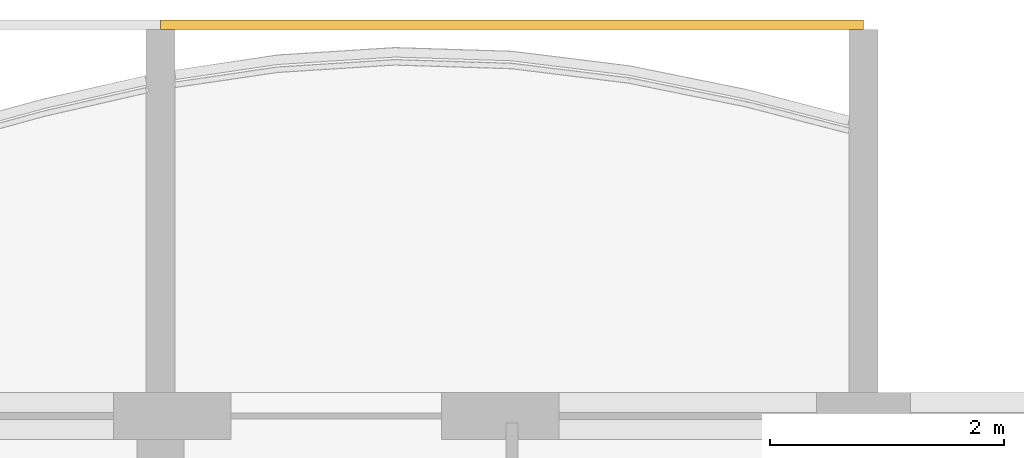
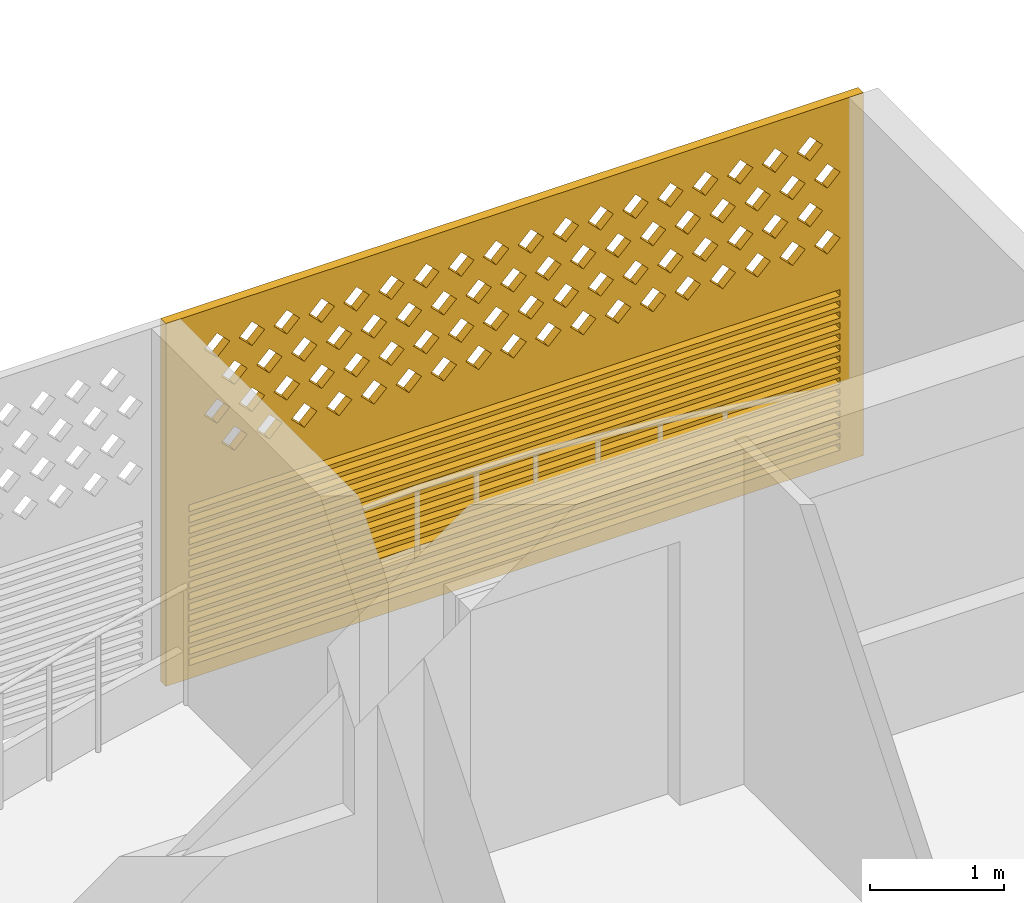
# One storey, part 39 of 39: 1 covering.
"""IFC4 building model written with IfcOpenShell, lengths in metres."""

import ifcopenshell
import ifcopenshell.guid

model = None  # the IFC model being written
_history = None  # IfcOwnerHistory: only IFC2X3 demands one
_inside = {}  # id of a spatial element -> (the spatial element, [elements in it])
_under = {}  # id of a project, library or spatial element -> (it, [spatial elements below it])
_declared = {}  # id of a project -> (the project, [libraries it declares])
_typed = {}  # id of a type object -> (the type object, [elements of that type])
_made_of = {}  # id of a material, layer set ... -> (it, [elements and type objects made of it])


def new_model(schema):
    """Start an empty IFC model of exactly this schema.

    Asked for "IFC4X3", IfcOpenShell would pick the latest addendum, in which some entities
    have other attributes; the version numbers below select the first issue.
    IFC2X3 requires an IfcOwnerHistory on every rooted entity: one is made here for all.
    """
    global model, _history
    if schema == "IFC4X3":
        model = ifcopenshell.file(schema_version=(4, 3, 0, 0))
    else:
        model = ifcopenshell.file(schema=schema)
    _inside.clear()
    _under.clear()
    _declared.clear()
    _typed.clear()
    _made_of.clear()
    _history = None
    if model.schema == "IFC2X3":
        org = make("IfcOrganization", Name="unknown")
        user = make(
            "IfcPersonAndOrganization",
            ThePerson=make("IfcPerson", FamilyName="unknown"),
            TheOrganization=org,
        )
        app = make(
            "IfcApplication",
            ApplicationDeveloper=org,
            Version="unknown",
            ApplicationFullName="unknown",
            ApplicationIdentifier="unknown",
        )
        _history = make(
            "IfcOwnerHistory",
            OwningUser=user,
            OwningApplication=app,
            ChangeAction="ADDED",
            CreationDate=0,
        )
    return model


def make(cls, **values):
    """One entity of the class cls with the attributes given. An attribute that is None is left unset."""
    return model.create_entity(
        cls, **{name: value for name, value in values.items() if value is not None}
    )


def rooted(cls, **values):
    """An entity with a GlobalId (a new one), such as an element, a storey or a relation."""
    return make(cls, GlobalId=ifcopenshell.guid.new(), OwnerHistory=_history, **values)


def si_unit(unit_type, name, prefix=None):
    """IfcSIUnit, for example si_unit("LENGTHUNIT", "METRE", prefix="MILLI")."""
    return make("IfcSIUnit", UnitType=unit_type, Prefix=prefix, Name=name)


def assignment(units):
    """IfcUnitAssignment: the units of a project."""
    return None if units is None else make("IfcUnitAssignment", Units=units)


def point(xyz):
    """IfcCartesianPoint."""
    return None if xyz is None else make("IfcCartesianPoint", Coordinates=xyz)


def direction(xyz):
    """IfcDirection."""
    return None if xyz is None else make("IfcDirection", DirectionRatios=xyz)


def frame(location, z_axis=None, x_axis=None):
    """IfcAxis2Placement3D, a coordinate frame: its origin and axes. An axis left out is left unset."""
    return make(
        "IfcAxis2Placement3D",
        Location=point(location),
        Axis=direction(z_axis),
        RefDirection=direction(x_axis),
    )


def origin():
    """The frame at (0, 0, 0) with its axes left unset."""
    return frame((0.0, 0.0, 0.0))


def place(relative_to, where):
    """IfcLocalPlacement: puts the frame where relative to a parent placement (None: the world)."""
    return make(
        "IfcLocalPlacement", PlacementRelTo=relative_to, RelativePlacement=where
    )


def context(
    kind, dimensions, precision=None, world=None, true_north=None, identifier=None
):
    """IfcGeometricRepresentationContext, for example the 3D "Model" context."""
    return make(
        "IfcGeometricRepresentationContext",
        ContextIdentifier=identifier,
        ContextType=kind,
        CoordinateSpaceDimension=dimensions,
        Precision=precision,
        WorldCoordinateSystem=world,
        TrueNorth=true_north,
    )


def subcontext(parent, identifier, kind, view, scale=None):
    """IfcGeometricRepresentationSubContext, for example "Body" below "Model"."""
    return make(
        "IfcGeometricRepresentationSubContext",
        ContextIdentifier=identifier,
        ContextType=kind,
        ParentContext=parent,
        TargetScale=scale,
        TargetView=view,
    )


def project(units=None, contexts=None):
    """IfcProject with its units and contexts."""
    return rooted(
        "IfcProject",
        Name="project",
        RepresentationContexts=contexts,
        UnitsInContext=assignment(units),
    )


def spatial(cls, under=None, at=None, **own):
    """A site, building, storey or space (cls), placed at a placement, below another one or the project."""
    s = rooted(cls, ObjectPlacement=at, **own)
    if under is not None:
        _under.setdefault(under.id(), (under, []))[1].append(s)
    return s


def polyline(points):
    """IfcPolyline through the points."""
    return make("IfcPolyline", Points=[point(p) for p in points])


def outline(outer, holes=None, kind="AREA"):
    """IfcArbitraryClosedProfileDef: a profile drawn as a closed curve; with holes, ...WithVoids."""
    if holes is None:
        return make("IfcArbitraryClosedProfileDef", ProfileType=kind, OuterCurve=outer)
    return make(
        "IfcArbitraryProfileDefWithVoids",
        ProfileType=kind,
        OuterCurve=outer,
        InnerCurves=holes,
    )


def extrude(swept, where, along, depth):
    """IfcExtrudedAreaSolid: the profile swept, set in the frame where, extruded along a direction by depth."""
    return make(
        "IfcExtrudedAreaSolid",
        SweptArea=swept,
        Position=where,
        ExtrudedDirection=direction(along),
        Depth=depth,
    )


def shape(context_of_items, identifier, shape_type, items):
    """IfcShapeRepresentation: the items that make up one representation, for example the "Body"."""
    return make(
        "IfcShapeRepresentation",
        ContextOfItems=context_of_items,
        RepresentationIdentifier=identifier,
        RepresentationType=shape_type,
        Items=items,
    )


def source(mapping_origin, context_of_items, identifier, shape_type, items):
    """IfcRepresentationMap: a shape defined once, which mapped items show again and again."""
    return make(
        "IfcRepresentationMap",
        MappingOrigin=mapping_origin,
        MappedRepresentation=shape(context_of_items, identifier, shape_type, items),
    )


def transform(
    local_origin,
    x_axis=None,
    y_axis=None,
    z_axis=None,
    scale=None,
    scale2=None,
    scale3=None,
    uniform=True,
):
    """IfcCartesianTransformationOperator3D, or its non-uniform kind. x_axis, y_axis, z_axis: its Axis1, 2, 3."""
    if uniform:
        return make(
            "IfcCartesianTransformationOperator3D",
            Axis1=direction(x_axis),
            Axis2=direction(y_axis),
            LocalOrigin=point(local_origin),
            Scale=scale,
            Axis3=direction(z_axis),
        )
    return make(
        "IfcCartesianTransformationOperator3DnonUniform",
        Axis1=direction(x_axis),
        Axis2=direction(y_axis),
        LocalOrigin=point(local_origin),
        Scale=scale,
        Axis3=direction(z_axis),
        Scale2=scale2,
        Scale3=scale3,
    )


def mapped(mapping_source, mapping_target):
    """IfcMappedItem: shows the shape of a source again, moved by a transform."""
    return make(
        "IfcMappedItem", MappingSource=mapping_source, MappingTarget=mapping_target
    )


def material(Name=None, Category=None):
    """IfcMaterial."""
    return make("IfcMaterial", Name=Name, Category=Category)


def material_profile(
    of_material, cross_section, Name=None, Category=None, Priority=None
):
    """IfcMaterialProfile: a cross section and its material."""
    return make(
        "IfcMaterialProfile",
        Name=Name,
        Material=of_material,
        Profile=cross_section,
        Priority=Priority,
        Category=Category,
    )


def profile_set(profiles, Name=None, composite=None):
    """IfcMaterialProfileSet."""
    return make(
        "IfcMaterialProfileSet",
        Name=Name,
        MaterialProfiles=profiles,
        CompositeProfile=composite,
    )


def made_of(thing, what):
    """Note that an element or type object is made of a material, layer set ...; save() writes the relation."""
    if what is not None:
        _made_of.setdefault(what.id(), (what, []))[1].append(thing)
    return thing


def type_object(cls, material=None, **own):
    """A type object (cls), such as IfcWallType, which elements share."""
    return made_of(rooted(cls, **own), material)


def element(
    cls,
    number,
    at=None,
    inside=None,
    cuts=None,
    type_object=None,
    material=None,
    context=None,
    identifier="Body",
    shape_type=None,
    held_by="IfcProductDefinitionShape",
    body=None,
    shapes=None,
    **own,
):
    """One element of the class cls, such as IfcWall. Its Tag is "e" and its number.

    at: its placement. inside: the storey or other place that contains it. cuts: it is an
    opening in that element (IfcRelVoidsElement). A single representation is given by context,
    identifier, shape_type and body (its items); several are given by shapes. held_by: the class
    of the entity that holds the representations. save() writes the other relations.
    """
    e = rooted(cls, Tag="e%d" % number, ObjectPlacement=at, **own)
    if body is not None:
        shapes = [shape(context, identifier, shape_type, body)]
    if shapes is not None:
        e.Representation = make(held_by, Representations=shapes)
    if inside is not None:
        _inside.setdefault(inside.id(), (inside, []))[1].append(e)
    if cuts is not None:
        rooted(
            "IfcRelVoidsElement", RelatingBuildingElement=cuts, RelatedOpeningElement=e
        )
    if type_object is not None:
        _typed.setdefault(type_object.id(), (type_object, []))[1].append(e)
    return made_of(e, material)


def aggregate(whole, parts):
    """IfcRelAggregates: a whole, such as a stair, and the parts it consists of."""
    return rooted("IfcRelAggregates", RelatingObject=whole, RelatedObjects=parts)


def save(model, path):
    """Write the relations noted so far, then the file.

    IfcRelAggregates (storeys below a building ...), IfcRelContainedInSpatialStructure (elements
    in a storey), IfcRelDefinesByType, IfcRelAssociatesMaterial and IfcRelDeclares: one each for
    every whole, place, type object, material and project.
    """
    for whole, parts in _under.values():
        aggregate(whole, parts)
    for where, things in _inside.values():
        rooted(
            "IfcRelContainedInSpatialStructure",
            RelatedElements=things,
            RelatingStructure=where,
        )
    for kind, things in _typed.values():
        rooted("IfcRelDefinesByType", RelatedObjects=things, RelatingType=kind)
    for what, things in _made_of.values():
        rooted("IfcRelAssociatesMaterial", RelatedObjects=things, RelatingMaterial=what)
    for by, libraries in _declared.values():
        rooted("IfcRelDeclares", RelatingContext=by, RelatedDefinitions=libraries)
    model.write(path)


model = new_model("IFC4")

# Units and contexts
model_context = context("Model", 3, precision=1e-05, world=origin(), true_north=direction((0.0, 1.0)))
body_context = subcontext(model_context, "Body", "Model", "MODEL_VIEW")
ifc_project = project(units=[si_unit("LENGTHUNIT", "METRE"), si_unit("AREAUNIT", "SQUARE_METRE"), si_unit("VOLUMEUNIT", "CUBIC_METRE"), si_unit("PLANEANGLEUNIT", "RADIAN"), si_unit("MASSUNIT", "GRAM", prefix="KILO")], contexts=[model_context])

# Site, building, storey
site_placement = place(None, origin())
site = spatial("IfcSite", under=ifc_project, at=site_placement, CompositionType="ELEMENT")
building_placement = place(site_placement, origin())
building = spatial("IfcBuilding", under=site, at=building_placement, Name="Poui Terraces", CompositionType="ELEMENT")
storey_placement = place(building_placement, frame((0.0, 0.0, 59.699951171875)))
storey = spatial("IfcBuildingStorey", under=building, at=storey_placement, Name="L16", CompositionType="ELEMENT", Elevation=59.699951171875)

# Covering
ifc_material = material(Name="Terracotta screen", Category="masonry")
ifc_material_profile = material_profile(ifc_material, outline(polyline([(-3.0, -1.64990234375), (3.0, -1.64990234375), (3.0, 1.64990234375), (-3.0, 1.64990234375), (-3.0, -1.64990234375)]), holes=[polyline([(-2.800048828125, 0.39990234375), (-2.68994140625, 0.2900390625), (-2.580078125, 0.39990234375), (-2.68994140625, 0.510009765625), (-2.800048828125, 0.39990234375)]), polyline([(-2.5, 0.39990234375), (-2.389892578125, 0.2900390625), (-2.280029296875, 0.39990234375), (-2.389892578125, 0.510009765625), (-2.5, 0.39990234375)]), polyline([(-2.199951171875, 0.39990234375), (-2.090087890625, 0.2900390625), (-1.97998046875, 0.39990234375), (-2.090087890625, 0.510009765625), (-2.199951171875, 0.39990234375)]), polyline([(-1.89990234375, 0.39990234375), (-1.7900390625, 0.2900390625), (-1.679931640625, 0.39990234375), (-1.7900390625, 0.510009765625), (-1.89990234375, 0.39990234375)]), polyline([(-1.60009765625, 0.39990234375), (-1.489990234375, 0.2900390625), (-1.3798828125, 0.39990234375), (-1.489990234375, 0.510009765625), (-1.60009765625, 0.39990234375)]), polyline([(-1.300048828125, 0.39990234375), (-1.18994140625, 0.2900390625), (-1.080078125, 0.39990234375), (-1.18994140625, 0.510009765625), (-1.300048828125, 0.39990234375)]), polyline([(-1.0, 0.39990234375), (-0.889892578125, 0.2900390625), (-0.780029296875, 0.39990234375), (-0.889892578125, 0.510009765625), (-1.0, 0.39990234375)]), polyline([(-0.699951171875, 0.39990234375), (-0.590087890625, 0.2900390625), (-0.47998046875, 0.39990234375), (-0.590087890625, 0.510009765625), (-0.699951171875, 0.39990234375)]), polyline([(-0.39990234375, 0.39990234375), (-0.2900390625, 0.2900390625), (-0.179931640625, 0.39990234375), (-0.2900390625, 0.510009765625), (-0.39990234375, 0.39990234375)]), polyline([(-0.10009765625, 0.39990234375), (0.010009765625, 0.2900390625), (0.1201171875, 0.39990234375), (0.010009765625, 0.510009765625), (-0.10009765625, 0.39990234375)]), polyline([(0.199951171875, 0.39990234375), (0.31005859375, 0.2900390625), (0.419921875, 0.39990234375), (0.31005859375, 0.510009765625), (0.199951171875, 0.39990234375)]), polyline([(0.5, 0.39990234375), (0.610107421875, 0.2900390625), (0.719970703125, 0.39990234375), (0.610107421875, 0.510009765625), (0.5, 0.39990234375)]), polyline([(0.800048828125, 0.39990234375), (0.909912109375, 0.2900390625), (1.02001953125, 0.39990234375), (0.909912109375, 0.510009765625), (0.800048828125, 0.39990234375)]), polyline([(1.10009765625, 0.39990234375), (1.2099609375, 0.2900390625), (1.320068359375, 0.39990234375), (1.2099609375, 0.510009765625), (1.10009765625, 0.39990234375)]), polyline([(1.39990234375, 0.39990234375), (1.510009765625, 0.2900390625), (1.6201171875, 0.39990234375), (1.510009765625, 0.510009765625), (1.39990234375, 0.39990234375)]), polyline([(1.699951171875, 0.39990234375), (1.81005859375, 0.2900390625), (1.919921875, 0.39990234375), (1.81005859375, 0.510009765625), (1.699951171875, 0.39990234375)]), polyline([(2.0, 0.39990234375), (2.110107421875, 0.2900390625), (2.219970703125, 0.39990234375), (2.110107421875, 0.510009765625), (2.0, 0.39990234375)]), polyline([(2.300048828125, 0.39990234375), (2.409912109375, 0.2900390625), (2.52001953125, 0.39990234375), (2.409912109375, 0.510009765625), (2.300048828125, 0.39990234375)]), polyline([(-2.64990234375, 0.699951171875), (-2.5400390625, 0.590087890625), (-2.429931640625, 0.699951171875), (-2.5400390625, 0.81005859375), (-2.64990234375, 0.699951171875)]), polyline([(-2.35009765625, 0.699951171875), (-2.239990234375, 0.590087890625), (-2.1298828125, 0.699951171875), (-2.239990234375, 0.81005859375), (-2.35009765625, 0.699951171875)]), polyline([(-2.050048828125, 0.699951171875), (-1.93994140625, 0.590087890625), (-1.830078125, 0.699951171875), (-1.93994140625, 0.81005859375), (-2.050048828125, 0.699951171875)]), polyline([(-1.75, 0.699951171875), (-1.639892578125, 0.590087890625), (-1.530029296875, 0.699951171875), (-1.639892578125, 0.81005859375), (-1.75, 0.699951171875)]), polyline([(-1.449951171875, 0.699951171875), (-1.340087890625, 0.590087890625), (-1.22998046875, 0.699951171875), (-1.340087890625, 0.81005859375), (-1.449951171875, 0.699951171875)]), polyline([(-1.14990234375, 0.699951171875), (-1.0400390625, 0.590087890625), (-0.929931640625, 0.699951171875), (-1.0400390625, 0.81005859375), (-1.14990234375, 0.699951171875)]), polyline([(-0.85009765625, 0.699951171875), (-0.739990234375, 0.590087890625), (-0.6298828125, 0.699951171875), (-0.739990234375, 0.81005859375), (-0.85009765625, 0.699951171875)]), polyline([(-0.550048828125, 0.699951171875), (-0.43994140625, 0.590087890625), (-0.330078125, 0.699951171875), (-0.43994140625, 0.81005859375), (-0.550048828125, 0.699951171875)]), polyline([(-0.25, 0.699951171875), (-0.139892578125, 0.590087890625), (-0.030029296875, 0.699951171875), (-0.139892578125, 0.81005859375), (-0.25, 0.699951171875)]), polyline([(0.050048828125, 0.699951171875), (0.159912109375, 0.590087890625), (0.27001953125, 0.699951171875), (0.159912109375, 0.81005859375), (0.050048828125, 0.699951171875)]), polyline([(0.35009765625, 0.699951171875), (0.4599609375, 0.590087890625), (0.570068359375, 0.699951171875), (0.4599609375, 0.81005859375), (0.35009765625, 0.699951171875)]), polyline([(0.64990234375, 0.699951171875), (0.760009765625, 0.590087890625), (0.8701171875, 0.699951171875), (0.760009765625, 0.81005859375), (0.64990234375, 0.699951171875)]), polyline([(0.949951171875, 0.699951171875), (1.06005859375, 0.590087890625), (1.169921875, 0.699951171875), (1.06005859375, 0.81005859375), (0.949951171875, 0.699951171875)]), polyline([(1.25, 0.699951171875), (1.360107421875, 0.590087890625), (1.469970703125, 0.699951171875), (1.360107421875, 0.81005859375), (1.25, 0.699951171875)]), polyline([(1.550048828125, 0.699951171875), (1.659912109375, 0.590087890625), (1.77001953125, 0.699951171875), (1.659912109375, 0.81005859375), (1.550048828125, 0.699951171875)]), polyline([(1.85009765625, 0.699951171875), (1.9599609375, 0.590087890625), (2.070068359375, 0.699951171875), (1.9599609375, 0.81005859375), (1.85009765625, 0.699951171875)]), polyline([(2.14990234375, 0.699951171875), (2.260009765625, 0.590087890625), (2.3701171875, 0.699951171875), (2.260009765625, 0.81005859375), (2.14990234375, 0.699951171875)]), polyline([(2.449951171875, 0.699951171875), (2.56005859375, 0.590087890625), (2.669921875, 0.699951171875), (2.56005859375, 0.81005859375), (2.449951171875, 0.699951171875)]), polyline([(-2.800048828125, 1.0), (-2.68994140625, 0.889892578125), (-2.580078125, 1.0), (-2.68994140625, 1.110107421875), (-2.800048828125, 1.0)]), polyline([(-2.5, 1.0), (-2.389892578125, 0.889892578125), (-2.280029296875, 1.0), (-2.389892578125, 1.110107421875), (-2.5, 1.0)]), polyline([(-2.199951171875, 1.0), (-2.090087890625, 0.889892578125), (-1.97998046875, 1.0), (-2.090087890625, 1.110107421875), (-2.199951171875, 1.0)]), polyline([(-1.89990234375, 1.0), (-1.7900390625, 0.889892578125), (-1.679931640625, 1.0), (-1.7900390625, 1.110107421875), (-1.89990234375, 1.0)]), polyline([(-1.60009765625, 1.0), (-1.489990234375, 0.889892578125), (-1.3798828125, 1.0), (-1.489990234375, 1.110107421875), (-1.60009765625, 1.0)]), polyline([(-1.300048828125, 1.0), (-1.18994140625, 0.889892578125), (-1.080078125, 1.0), (-1.18994140625, 1.110107421875), (-1.300048828125, 1.0)]), polyline([(-1.0, 1.0), (-0.889892578125, 0.889892578125), (-0.780029296875, 1.0), (-0.889892578125, 1.110107421875), (-1.0, 1.0)]), polyline([(-0.699951171875, 1.0), (-0.590087890625, 0.889892578125), (-0.47998046875, 1.0), (-0.590087890625, 1.110107421875), (-0.699951171875, 1.0)]), polyline([(-0.39990234375, 1.0), (-0.2900390625, 0.889892578125), (-0.179931640625, 1.0), (-0.2900390625, 1.110107421875), (-0.39990234375, 1.0)]), polyline([(-0.10009765625, 1.0), (0.010009765625, 0.889892578125), (0.1201171875, 1.0), (0.010009765625, 1.110107421875), (-0.10009765625, 1.0)]), polyline([(0.199951171875, 1.0), (0.31005859375, 0.889892578125), (0.419921875, 1.0), (0.31005859375, 1.110107421875), (0.199951171875, 1.0)]), polyline([(0.5, 1.0), (0.610107421875, 0.889892578125), (0.719970703125, 1.0), (0.610107421875, 1.110107421875), (0.5, 1.0)]), polyline([(0.800048828125, 1.0), (0.909912109375, 0.889892578125), (1.02001953125, 1.0), (0.909912109375, 1.110107421875), (0.800048828125, 1.0)]), polyline([(1.10009765625, 1.0), (1.2099609375, 0.889892578125), (1.320068359375, 1.0), (1.2099609375, 1.110107421875), (1.10009765625, 1.0)]), polyline([(1.39990234375, 1.0), (1.510009765625, 0.889892578125), (1.6201171875, 1.0), (1.510009765625, 1.110107421875), (1.39990234375, 1.0)]), polyline([(1.699951171875, 1.0), (1.81005859375, 0.889892578125), (1.919921875, 1.0), (1.81005859375, 1.110107421875), (1.699951171875, 1.0)]), polyline([(2.0, 1.0), (2.110107421875, 0.889892578125), (2.219970703125, 1.0), (2.110107421875, 1.110107421875), (2.0, 1.0)]), polyline([(2.300048828125, 1.0), (2.409912109375, 0.889892578125), (2.52001953125, 1.0), (2.409912109375, 1.110107421875), (2.300048828125, 1.0)]), polyline([(-2.64990234375, 1.300048828125), (-2.5400390625, 1.18994140625), (-2.429931640625, 1.300048828125), (-2.5400390625, 1.409912109375), (-2.64990234375, 1.300048828125)]), polyline([(-2.35009765625, 1.300048828125), (-2.239990234375, 1.18994140625), (-2.1298828125, 1.300048828125), (-2.239990234375, 1.409912109375), (-2.35009765625, 1.300048828125)]), polyline([(-2.050048828125, 1.300048828125), (-1.93994140625, 1.18994140625), (-1.830078125, 1.300048828125), (-1.93994140625, 1.409912109375), (-2.050048828125, 1.300048828125)]), polyline([(-1.75, 1.300048828125), (-1.639892578125, 1.18994140625), (-1.530029296875, 1.300048828125), (-1.639892578125, 1.409912109375), (-1.75, 1.300048828125)]), polyline([(-1.449951171875, 1.300048828125), (-1.340087890625, 1.18994140625), (-1.22998046875, 1.300048828125), (-1.340087890625, 1.409912109375), (-1.449951171875, 1.300048828125)]), polyline([(-1.14990234375, 1.300048828125), (-1.0400390625, 1.18994140625), (-0.929931640625, 1.300048828125), (-1.0400390625, 1.409912109375), (-1.14990234375, 1.300048828125)]), polyline([(-0.85009765625, 1.300048828125), (-0.739990234375, 1.18994140625), (-0.6298828125, 1.300048828125), (-0.739990234375, 1.409912109375), (-0.85009765625, 1.300048828125)]), polyline([(-0.550048828125, 1.300048828125), (-0.43994140625, 1.18994140625), (-0.330078125, 1.300048828125), (-0.43994140625, 1.409912109375), (-0.550048828125, 1.300048828125)]), polyline([(-0.25, 1.300048828125), (-0.139892578125, 1.18994140625), (-0.030029296875, 1.300048828125), (-0.139892578125, 1.409912109375), (-0.25, 1.300048828125)]), polyline([(0.050048828125, 1.300048828125), (0.159912109375, 1.18994140625), (0.27001953125, 1.300048828125), (0.159912109375, 1.409912109375), (0.050048828125, 1.300048828125)]), polyline([(0.35009765625, 1.300048828125), (0.4599609375, 1.18994140625), (0.570068359375, 1.300048828125), (0.4599609375, 1.409912109375), (0.35009765625, 1.300048828125)]), polyline([(0.64990234375, 1.300048828125), (0.760009765625, 1.18994140625), (0.8701171875, 1.300048828125), (0.760009765625, 1.409912109375), (0.64990234375, 1.300048828125)]), polyline([(0.949951171875, 1.300048828125), (1.06005859375, 1.18994140625), (1.169921875, 1.300048828125), (1.06005859375, 1.409912109375), (0.949951171875, 1.300048828125)]), polyline([(1.25, 1.300048828125), (1.360107421875, 1.18994140625), (1.469970703125, 1.300048828125), (1.360107421875, 1.409912109375), (1.25, 1.300048828125)]), polyline([(1.550048828125, 1.300048828125), (1.659912109375, 1.18994140625), (1.77001953125, 1.300048828125), (1.659912109375, 1.409912109375), (1.550048828125, 1.300048828125)]), polyline([(1.85009765625, 1.300048828125), (1.9599609375, 1.18994140625), (2.070068359375, 1.300048828125), (1.9599609375, 1.409912109375), (1.85009765625, 1.300048828125)]), polyline([(2.14990234375, 1.300048828125), (2.260009765625, 1.18994140625), (2.3701171875, 1.300048828125), (2.260009765625, 1.409912109375), (2.14990234375, 1.300048828125)]), polyline([(2.449951171875, 1.300048828125), (2.56005859375, 1.18994140625), (2.669921875, 1.300048828125), (2.56005859375, 1.409912109375), (2.449951171875, 1.300048828125)]), polyline([(-2.800048828125, -1.530029296875), (2.800048828125, -1.530029296875), (2.800048828125, -1.469970703125), (-2.800048828125, -1.469970703125), (-2.800048828125, -1.530029296875)]), polyline([(-2.800048828125, -1.429931640625), (2.800048828125, -1.429931640625), (2.800048828125, -1.3701171875), (-2.800048828125, -1.3701171875), (-2.800048828125, -1.429931640625)]), polyline([(-2.800048828125, -1.330078125), (2.800048828125, -1.330078125), (2.800048828125, -1.27001953125), (-2.800048828125, -1.27001953125), (-2.800048828125, -1.330078125)]), polyline([(-2.800048828125, -1.22998046875), (2.800048828125, -1.22998046875), (2.800048828125, -1.169921875), (-2.800048828125, -1.169921875), (-2.800048828125, -1.22998046875)]), polyline([(-2.800048828125, -1.1298828125), (2.800048828125, -1.1298828125), (2.800048828125, -1.070068359375), (-2.800048828125, -1.070068359375), (-2.800048828125, -1.1298828125)]), polyline([(-2.800048828125, -1.030029296875), (2.800048828125, -1.030029296875), (2.800048828125, -0.969970703125), (-2.800048828125, -0.969970703125), (-2.800048828125, -1.030029296875)]), polyline([(-2.800048828125, -0.929931640625), (2.800048828125, -0.929931640625), (2.800048828125, -0.8701171875), (-2.800048828125, -0.8701171875), (-2.800048828125, -0.929931640625)]), polyline([(-2.800048828125, -0.830078125), (2.800048828125, -0.830078125), (2.800048828125, -0.77001953125), (-2.800048828125, -0.77001953125), (-2.800048828125, -0.830078125)]), polyline([(-2.800048828125, -0.72998046875), (2.800048828125, -0.72998046875), (2.800048828125, -0.669921875), (-2.800048828125, -0.669921875), (-2.800048828125, -0.72998046875)]), polyline([(-2.800048828125, -0.6298828125), (2.800048828125, -0.6298828125), (2.800048828125, -0.570068359375), (-2.800048828125, -0.570068359375), (-2.800048828125, -0.6298828125)]), polyline([(-2.800048828125, -0.530029296875), (2.800048828125, -0.530029296875), (2.800048828125, -0.469970703125), (-2.800048828125, -0.469970703125), (-2.800048828125, -0.530029296875)]), polyline([(-2.800048828125, -0.429931640625), (2.800048828125, -0.429931640625), (2.800048828125, -0.3701171875), (-2.800048828125, -0.3701171875), (-2.800048828125, -0.429931640625)]), polyline([(-2.800048828125, -0.330078125), (2.800048828125, -0.330078125), (2.800048828125, -0.27001953125), (-2.800048828125, -0.27001953125), (-2.800048828125, -0.330078125)]), polyline([(-2.800048828125, -0.22998046875), (2.800048828125, -0.22998046875), (2.800048828125, -0.169921875), (-2.800048828125, -0.169921875), (-2.800048828125, -0.22998046875)]), polyline([(-2.800048828125, -0.1298828125), (2.800048828125, -0.1298828125), (2.800048828125, -0.070068359375), (-2.800048828125, -0.070068359375), (-2.800048828125, -0.1298828125)])]), Name="TERRACOTTA SCREEN AND JALOUSIE LOUVRE 6000X3300")
ifc_profile_set = profile_set([ifc_material_profile], Name="Terracotta screen")
covering_type = type_object("IfcCoveringType", Name="TERRACOTTA SCREEN AND JALOUSIE LOUVRE 6000X3300", PredefinedType="CLADDING", material=ifc_profile_set)
shared_shape = source(origin(), body_context, "Body", "SweptSolid", [
    extrude(outline(polyline([(-3.0, -1.64990234375), (3.0, -1.64990234375), (3.0, 1.64990234375), (-3.0, 1.64990234375), (-3.0, -1.64990234375)]), holes=[polyline([(-2.800048828125, 0.39990234375), (-2.68994140625, 0.2900390625), (-2.580078125, 0.39990234375), (-2.68994140625, 0.510009765625), (-2.800048828125, 0.39990234375)]), polyline([(-2.5, 0.39990234375), (-2.389892578125, 0.2900390625), (-2.280029296875, 0.39990234375), (-2.389892578125, 0.510009765625), (-2.5, 0.39990234375)]), polyline([(-2.199951171875, 0.39990234375), (-2.090087890625, 0.2900390625), (-1.97998046875, 0.39990234375), (-2.090087890625, 0.510009765625), (-2.199951171875, 0.39990234375)]), polyline([(-1.89990234375, 0.39990234375), (-1.7900390625, 0.2900390625), (-1.679931640625, 0.39990234375), (-1.7900390625, 0.510009765625), (-1.89990234375, 0.39990234375)]), polyline([(-1.60009765625, 0.39990234375), (-1.489990234375, 0.2900390625), (-1.3798828125, 0.39990234375), (-1.489990234375, 0.510009765625), (-1.60009765625, 0.39990234375)]), polyline([(-1.300048828125, 0.39990234375), (-1.18994140625, 0.2900390625), (-1.080078125, 0.39990234375), (-1.18994140625, 0.510009765625), (-1.300048828125, 0.39990234375)]), polyline([(-1.0, 0.39990234375), (-0.889892578125, 0.2900390625), (-0.780029296875, 0.39990234375), (-0.889892578125, 0.510009765625), (-1.0, 0.39990234375)]), polyline([(-0.699951171875, 0.39990234375), (-0.590087890625, 0.2900390625), (-0.47998046875, 0.39990234375), (-0.590087890625, 0.510009765625), (-0.699951171875, 0.39990234375)]), polyline([(-0.39990234375, 0.39990234375), (-0.2900390625, 0.2900390625), (-0.179931640625, 0.39990234375), (-0.2900390625, 0.510009765625), (-0.39990234375, 0.39990234375)]), polyline([(-0.10009765625, 0.39990234375), (0.010009765625, 0.2900390625), (0.1201171875, 0.39990234375), (0.010009765625, 0.510009765625), (-0.10009765625, 0.39990234375)]), polyline([(0.199951171875, 0.39990234375), (0.31005859375, 0.2900390625), (0.419921875, 0.39990234375), (0.31005859375, 0.510009765625), (0.199951171875, 0.39990234375)]), polyline([(0.5, 0.39990234375), (0.610107421875, 0.2900390625), (0.719970703125, 0.39990234375), (0.610107421875, 0.510009765625), (0.5, 0.39990234375)]), polyline([(0.800048828125, 0.39990234375), (0.909912109375, 0.2900390625), (1.02001953125, 0.39990234375), (0.909912109375, 0.510009765625), (0.800048828125, 0.39990234375)]), polyline([(1.10009765625, 0.39990234375), (1.2099609375, 0.2900390625), (1.320068359375, 0.39990234375), (1.2099609375, 0.510009765625), (1.10009765625, 0.39990234375)]), polyline([(1.39990234375, 0.39990234375), (1.510009765625, 0.2900390625), (1.6201171875, 0.39990234375), (1.510009765625, 0.510009765625), (1.39990234375, 0.39990234375)]), polyline([(1.699951171875, 0.39990234375), (1.81005859375, 0.2900390625), (1.919921875, 0.39990234375), (1.81005859375, 0.510009765625), (1.699951171875, 0.39990234375)]), polyline([(2.0, 0.39990234375), (2.110107421875, 0.2900390625), (2.219970703125, 0.39990234375), (2.110107421875, 0.510009765625), (2.0, 0.39990234375)]), polyline([(2.300048828125, 0.39990234375), (2.409912109375, 0.2900390625), (2.52001953125, 0.39990234375), (2.409912109375, 0.510009765625), (2.300048828125, 0.39990234375)]), polyline([(-2.64990234375, 0.699951171875), (-2.5400390625, 0.590087890625), (-2.429931640625, 0.699951171875), (-2.5400390625, 0.81005859375), (-2.64990234375, 0.699951171875)]), polyline([(-2.35009765625, 0.699951171875), (-2.239990234375, 0.590087890625), (-2.1298828125, 0.699951171875), (-2.239990234375, 0.81005859375), (-2.35009765625, 0.699951171875)]), polyline([(-2.050048828125, 0.699951171875), (-1.93994140625, 0.590087890625), (-1.830078125, 0.699951171875), (-1.93994140625, 0.81005859375), (-2.050048828125, 0.699951171875)]), polyline([(-1.75, 0.699951171875), (-1.639892578125, 0.590087890625), (-1.530029296875, 0.699951171875), (-1.639892578125, 0.81005859375), (-1.75, 0.699951171875)]), polyline([(-1.449951171875, 0.699951171875), (-1.340087890625, 0.590087890625), (-1.22998046875, 0.699951171875), (-1.340087890625, 0.81005859375), (-1.449951171875, 0.699951171875)]), polyline([(-1.14990234375, 0.699951171875), (-1.0400390625, 0.590087890625), (-0.929931640625, 0.699951171875), (-1.0400390625, 0.81005859375), (-1.14990234375, 0.699951171875)]), polyline([(-0.85009765625, 0.699951171875), (-0.739990234375, 0.590087890625), (-0.6298828125, 0.699951171875), (-0.739990234375, 0.81005859375), (-0.85009765625, 0.699951171875)]), polyline([(-0.550048828125, 0.699951171875), (-0.43994140625, 0.590087890625), (-0.330078125, 0.699951171875), (-0.43994140625, 0.81005859375), (-0.550048828125, 0.699951171875)]), polyline([(-0.25, 0.699951171875), (-0.139892578125, 0.590087890625), (-0.030029296875, 0.699951171875), (-0.139892578125, 0.81005859375), (-0.25, 0.699951171875)]), polyline([(0.050048828125, 0.699951171875), (0.159912109375, 0.590087890625), (0.27001953125, 0.699951171875), (0.159912109375, 0.81005859375), (0.050048828125, 0.699951171875)]), polyline([(0.35009765625, 0.699951171875), (0.4599609375, 0.590087890625), (0.570068359375, 0.699951171875), (0.4599609375, 0.81005859375), (0.35009765625, 0.699951171875)]), polyline([(0.64990234375, 0.699951171875), (0.760009765625, 0.590087890625), (0.8701171875, 0.699951171875), (0.760009765625, 0.81005859375), (0.64990234375, 0.699951171875)]), polyline([(0.949951171875, 0.699951171875), (1.06005859375, 0.590087890625), (1.169921875, 0.699951171875), (1.06005859375, 0.81005859375), (0.949951171875, 0.699951171875)]), polyline([(1.25, 0.699951171875), (1.360107421875, 0.590087890625), (1.469970703125, 0.699951171875), (1.360107421875, 0.81005859375), (1.25, 0.699951171875)]), polyline([(1.550048828125, 0.699951171875), (1.659912109375, 0.590087890625), (1.77001953125, 0.699951171875), (1.659912109375, 0.81005859375), (1.550048828125, 0.699951171875)]), polyline([(1.85009765625, 0.699951171875), (1.9599609375, 0.590087890625), (2.070068359375, 0.699951171875), (1.9599609375, 0.81005859375), (1.85009765625, 0.699951171875)]), polyline([(2.14990234375, 0.699951171875), (2.260009765625, 0.590087890625), (2.3701171875, 0.699951171875), (2.260009765625, 0.81005859375), (2.14990234375, 0.699951171875)]), polyline([(2.449951171875, 0.699951171875), (2.56005859375, 0.590087890625), (2.669921875, 0.699951171875), (2.56005859375, 0.81005859375), (2.449951171875, 0.699951171875)]), polyline([(-2.800048828125, 1.0), (-2.68994140625, 0.889892578125), (-2.580078125, 1.0), (-2.68994140625, 1.110107421875), (-2.800048828125, 1.0)]), polyline([(-2.5, 1.0), (-2.389892578125, 0.889892578125), (-2.280029296875, 1.0), (-2.389892578125, 1.110107421875), (-2.5, 1.0)]), polyline([(-2.199951171875, 1.0), (-2.090087890625, 0.889892578125), (-1.97998046875, 1.0), (-2.090087890625, 1.110107421875), (-2.199951171875, 1.0)]), polyline([(-1.89990234375, 1.0), (-1.7900390625, 0.889892578125), (-1.679931640625, 1.0), (-1.7900390625, 1.110107421875), (-1.89990234375, 1.0)]), polyline([(-1.60009765625, 1.0), (-1.489990234375, 0.889892578125), (-1.3798828125, 1.0), (-1.489990234375, 1.110107421875), (-1.60009765625, 1.0)]), polyline([(-1.300048828125, 1.0), (-1.18994140625, 0.889892578125), (-1.080078125, 1.0), (-1.18994140625, 1.110107421875), (-1.300048828125, 1.0)]), polyline([(-1.0, 1.0), (-0.889892578125, 0.889892578125), (-0.780029296875, 1.0), (-0.889892578125, 1.110107421875), (-1.0, 1.0)]), polyline([(-0.699951171875, 1.0), (-0.590087890625, 0.889892578125), (-0.47998046875, 1.0), (-0.590087890625, 1.110107421875), (-0.699951171875, 1.0)]), polyline([(-0.39990234375, 1.0), (-0.2900390625, 0.889892578125), (-0.179931640625, 1.0), (-0.2900390625, 1.110107421875), (-0.39990234375, 1.0)]), polyline([(-0.10009765625, 1.0), (0.010009765625, 0.889892578125), (0.1201171875, 1.0), (0.010009765625, 1.110107421875), (-0.10009765625, 1.0)]), polyline([(0.199951171875, 1.0), (0.31005859375, 0.889892578125), (0.419921875, 1.0), (0.31005859375, 1.110107421875), (0.199951171875, 1.0)]), polyline([(0.5, 1.0), (0.610107421875, 0.889892578125), (0.719970703125, 1.0), (0.610107421875, 1.110107421875), (0.5, 1.0)]), polyline([(0.800048828125, 1.0), (0.909912109375, 0.889892578125), (1.02001953125, 1.0), (0.909912109375, 1.110107421875), (0.800048828125, 1.0)]), polyline([(1.10009765625, 1.0), (1.2099609375, 0.889892578125), (1.320068359375, 1.0), (1.2099609375, 1.110107421875), (1.10009765625, 1.0)]), polyline([(1.39990234375, 1.0), (1.510009765625, 0.889892578125), (1.6201171875, 1.0), (1.510009765625, 1.110107421875), (1.39990234375, 1.0)]), polyline([(1.699951171875, 1.0), (1.81005859375, 0.889892578125), (1.919921875, 1.0), (1.81005859375, 1.110107421875), (1.699951171875, 1.0)]), polyline([(2.0, 1.0), (2.110107421875, 0.889892578125), (2.219970703125, 1.0), (2.110107421875, 1.110107421875), (2.0, 1.0)]), polyline([(2.300048828125, 1.0), (2.409912109375, 0.889892578125), (2.52001953125, 1.0), (2.409912109375, 1.110107421875), (2.300048828125, 1.0)]), polyline([(-2.64990234375, 1.300048828125), (-2.5400390625, 1.18994140625), (-2.429931640625, 1.300048828125), (-2.5400390625, 1.409912109375), (-2.64990234375, 1.300048828125)]), polyline([(-2.35009765625, 1.300048828125), (-2.239990234375, 1.18994140625), (-2.1298828125, 1.300048828125), (-2.239990234375, 1.409912109375), (-2.35009765625, 1.300048828125)]), polyline([(-2.050048828125, 1.300048828125), (-1.93994140625, 1.18994140625), (-1.830078125, 1.300048828125), (-1.93994140625, 1.409912109375), (-2.050048828125, 1.300048828125)]), polyline([(-1.75, 1.300048828125), (-1.639892578125, 1.18994140625), (-1.530029296875, 1.300048828125), (-1.639892578125, 1.409912109375), (-1.75, 1.300048828125)]), polyline([(-1.449951171875, 1.300048828125), (-1.340087890625, 1.18994140625), (-1.22998046875, 1.300048828125), (-1.340087890625, 1.409912109375), (-1.449951171875, 1.300048828125)]), polyline([(-1.14990234375, 1.300048828125), (-1.0400390625, 1.18994140625), (-0.929931640625, 1.300048828125), (-1.0400390625, 1.409912109375), (-1.14990234375, 1.300048828125)]), polyline([(-0.85009765625, 1.300048828125), (-0.739990234375, 1.18994140625), (-0.6298828125, 1.300048828125), (-0.739990234375, 1.409912109375), (-0.85009765625, 1.300048828125)]), polyline([(-0.550048828125, 1.300048828125), (-0.43994140625, 1.18994140625), (-0.330078125, 1.300048828125), (-0.43994140625, 1.409912109375), (-0.550048828125, 1.300048828125)]), polyline([(-0.25, 1.300048828125), (-0.139892578125, 1.18994140625), (-0.030029296875, 1.300048828125), (-0.139892578125, 1.409912109375), (-0.25, 1.300048828125)]), polyline([(0.050048828125, 1.300048828125), (0.159912109375, 1.18994140625), (0.27001953125, 1.300048828125), (0.159912109375, 1.409912109375), (0.050048828125, 1.300048828125)]), polyline([(0.35009765625, 1.300048828125), (0.4599609375, 1.18994140625), (0.570068359375, 1.300048828125), (0.4599609375, 1.409912109375), (0.35009765625, 1.300048828125)]), polyline([(0.64990234375, 1.300048828125), (0.760009765625, 1.18994140625), (0.8701171875, 1.300048828125), (0.760009765625, 1.409912109375), (0.64990234375, 1.300048828125)]), polyline([(0.949951171875, 1.300048828125), (1.06005859375, 1.18994140625), (1.169921875, 1.300048828125), (1.06005859375, 1.409912109375), (0.949951171875, 1.300048828125)]), polyline([(1.25, 1.300048828125), (1.360107421875, 1.18994140625), (1.469970703125, 1.300048828125), (1.360107421875, 1.409912109375), (1.25, 1.300048828125)]), polyline([(1.550048828125, 1.300048828125), (1.659912109375, 1.18994140625), (1.77001953125, 1.300048828125), (1.659912109375, 1.409912109375), (1.550048828125, 1.300048828125)]), polyline([(1.85009765625, 1.300048828125), (1.9599609375, 1.18994140625), (2.070068359375, 1.300048828125), (1.9599609375, 1.409912109375), (1.85009765625, 1.300048828125)]), polyline([(2.14990234375, 1.300048828125), (2.260009765625, 1.18994140625), (2.3701171875, 1.300048828125), (2.260009765625, 1.409912109375), (2.14990234375, 1.300048828125)]), polyline([(2.449951171875, 1.300048828125), (2.56005859375, 1.18994140625), (2.669921875, 1.300048828125), (2.56005859375, 1.409912109375), (2.449951171875, 1.300048828125)]), polyline([(-2.800048828125, -1.530029296875), (2.800048828125, -1.530029296875), (2.800048828125, -1.469970703125), (-2.800048828125, -1.469970703125), (-2.800048828125, -1.530029296875)]), polyline([(-2.800048828125, -1.429931640625), (2.800048828125, -1.429931640625), (2.800048828125, -1.3701171875), (-2.800048828125, -1.3701171875), (-2.800048828125, -1.429931640625)]), polyline([(-2.800048828125, -1.330078125), (2.800048828125, -1.330078125), (2.800048828125, -1.27001953125), (-2.800048828125, -1.27001953125), (-2.800048828125, -1.330078125)]), polyline([(-2.800048828125, -1.22998046875), (2.800048828125, -1.22998046875), (2.800048828125, -1.169921875), (-2.800048828125, -1.169921875), (-2.800048828125, -1.22998046875)]), polyline([(-2.800048828125, -1.1298828125), (2.800048828125, -1.1298828125), (2.800048828125, -1.070068359375), (-2.800048828125, -1.070068359375), (-2.800048828125, -1.1298828125)]), polyline([(-2.800048828125, -1.030029296875), (2.800048828125, -1.030029296875), (2.800048828125, -0.969970703125), (-2.800048828125, -0.969970703125), (-2.800048828125, -1.030029296875)]), polyline([(-2.800048828125, -0.929931640625), (2.800048828125, -0.929931640625), (2.800048828125, -0.8701171875), (-2.800048828125, -0.8701171875), (-2.800048828125, -0.929931640625)]), polyline([(-2.800048828125, -0.830078125), (2.800048828125, -0.830078125), (2.800048828125, -0.77001953125), (-2.800048828125, -0.77001953125), (-2.800048828125, -0.830078125)]), polyline([(-2.800048828125, -0.72998046875), (2.800048828125, -0.72998046875), (2.800048828125, -0.669921875), (-2.800048828125, -0.669921875), (-2.800048828125, -0.72998046875)]), polyline([(-2.800048828125, -0.6298828125), (2.800048828125, -0.6298828125), (2.800048828125, -0.570068359375), (-2.800048828125, -0.570068359375), (-2.800048828125, -0.6298828125)]), polyline([(-2.800048828125, -0.530029296875), (2.800048828125, -0.530029296875), (2.800048828125, -0.469970703125), (-2.800048828125, -0.469970703125), (-2.800048828125, -0.530029296875)]), polyline([(-2.800048828125, -0.429931640625), (2.800048828125, -0.429931640625), (2.800048828125, -0.3701171875), (-2.800048828125, -0.3701171875), (-2.800048828125, -0.429931640625)]), polyline([(-2.800048828125, -0.330078125), (2.800048828125, -0.330078125), (2.800048828125, -0.27001953125), (-2.800048828125, -0.27001953125), (-2.800048828125, -0.330078125)]), polyline([(-2.800048828125, -0.22998046875), (2.800048828125, -0.22998046875), (2.800048828125, -0.169921875), (-2.800048828125, -0.169921875), (-2.800048828125, -0.22998046875)]), polyline([(-2.800048828125, -0.1298828125), (2.800048828125, -0.1298828125), (2.800048828125, -0.070068359375), (-2.800048828125, -0.070068359375), (-2.800048828125, -0.1298828125)])]), origin(), (0.0, 0.0, 1.0), 0.079833984375),
])
covering_placement = place(storey_placement, frame((81.0, 48.10009765625, 1.449951171875), z_axis=(0.0, 1.0, 0.0), x_axis=(-1.0, 0.0, 0.0)))
element("IfcCovering", 1, at=covering_placement, inside=storey, type_object=covering_type, Name="SOLAR SCREEN AND JALOUSIE LOUVRE", PredefinedType="CLADDING", context=body_context, shape_type="MappedRepresentation", body=[
    mapped(shared_shape, transform((0.0, 0.0, 0.0))),
])

save(model, "model.ifc")
